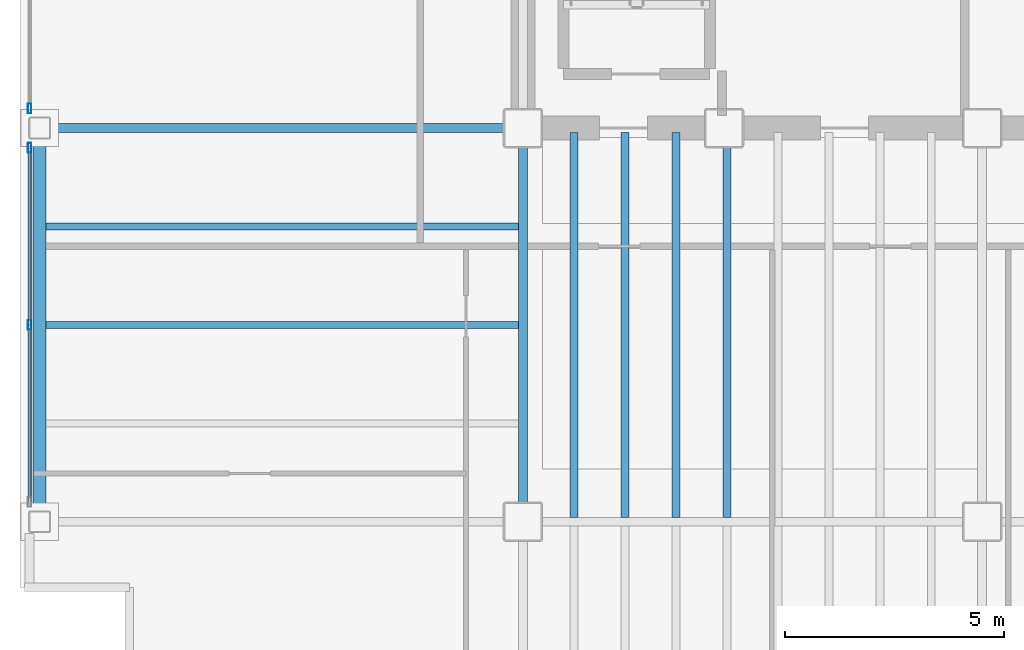
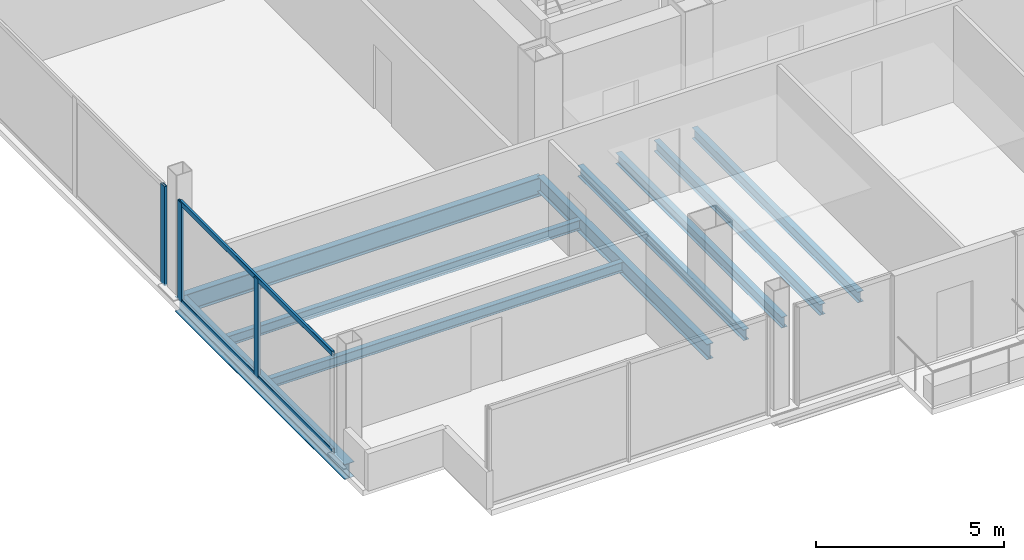
# One storey, part 3 of 18: 9 beams, 5 members, 2 elements without a shape of their own.
"""IFC4 building model written with IfcOpenShell, lengths in metres."""

from ifc_helpers import new_model, si_unit, direction, frame, origin, origin_2d, place, context, subcontext, project, spatial, hollow_rectangle, i_section, extrude, material, material_profile, profile_set, type_object, element, aggregate, save


model = new_model("IFC4")

# Units and contexts
model_context = context("Model", 3, precision=1e-05, world=origin(), true_north=direction((0.0, 1.0)))
body_context = subcontext(model_context, "Body", "Model", "MODEL_VIEW")
ifc_project = project(units=[si_unit("LENGTHUNIT", "METRE"), si_unit("AREAUNIT", "SQUARE_METRE"), si_unit("VOLUMEUNIT", "CUBIC_METRE"), si_unit("PLANEANGLEUNIT", "RADIAN"), si_unit("MASSUNIT", "GRAM", prefix="KILO")], contexts=[model_context])

# Site, building, storey
site_placement = place(None, origin())
site = spatial("IfcSite", under=ifc_project, at=site_placement, CompositionType="ELEMENT")
building_placement = place(site_placement, origin())
building = spatial("IfcBuilding", under=site, at=building_placement, Name="Noeulbin Bourse Tower", CompositionType="ELEMENT")
storey_placement = place(building_placement, frame((0.0, 0.0, 161.699951171875)))
storey = spatial("IfcBuildingStorey", under=building, at=storey_placement, Name="L40", CompositionType="ELEMENT", Elevation=161.699951171875)

# Beams
ifc_material_1 = material(Name="Steel S355", Category="steel")
ifc_material_profile_1 = material_profile(ifc_material_1, i_section(OverallWidth=0.199951171875, OverallDepth=0.5, WebThickness=0.010009765625, FlangeThickness=0.01611328125, FilletRadius=0.02001953125, at=origin_2d()), Name="H-500x200x10x16", Category="LoadBearing")
ifc_profile_set_1 = profile_set([ifc_material_profile_1], Name="Steel S355")
beam_type_1 = type_object("IfcBeamType", Name="BM-GRD-500", PredefinedType="USERDEFINED", material=ifc_profile_set_1)
beam_1_placement = place(storey_placement, frame((13.5, 20.0, -0.429931640625), z_axis=(0.0, 1.0, 0.0), x_axis=(-1.0, 0.0, 0.0)))
element("IfcBeam", 1, at=beam_1_placement, inside=storey, type_object=beam_type_1, Name="Tower Primary Girder NS L40-1.2", ObjectType="GIRDER", PredefinedType="USERDEFINED", context=body_context, shape_type="SweptSolid", body=[
    extrude(i_section(OverallWidth=0.199951171875, OverallDepth=0.5, WebThickness=0.010009765625, FlangeThickness=0.01611328125, FilletRadius=0.02001953125, at=origin_2d()), origin(), (0.0, 0.0, 1.0), 9.0),
])
ifc_material_profile_2 = material_profile(ifc_material_1, i_section(OverallWidth=0.199951171875, OverallDepth=0.60009765625, WebThickness=0.010986328125, FlangeThickness=0.01708984375, FilletRadius=0.02197265625, at=origin_2d()), Name="H-600x200x11x17", Category="LoadBearing")
ifc_profile_set_2 = profile_set([ifc_material_profile_2], Name="Steel S355")
beam_type_2 = type_object("IfcBeamType", Name="BM-GRD-600", PredefinedType="USERDEFINED", material=ifc_profile_set_2)
beam_2_placement = place(storey_placement, frame((2.449951171875, 29.0, -0.47998046875), z_axis=(1.0, 0.0, 0.0), x_axis=(0.0, 1.0, 0.0)))
element("IfcBeam", 2, at=beam_2_placement, inside=storey, type_object=beam_type_2, Name="Tower Primary Girder EW L40-2.1", ObjectType="GIRDER", PredefinedType="USERDEFINED", context=body_context, shape_type="SweptSolid", body=[
    extrude(i_section(OverallWidth=0.199951171875, OverallDepth=0.60009765625, WebThickness=0.010986328125, FlangeThickness=0.01708984375, FilletRadius=0.02197265625, at=origin_2d()), origin(), (0.0, 0.0, 1.0), 11.050048828125),
])
ifc_material_profile_3 = material_profile(ifc_material_1, i_section(OverallWidth=0.159912109375, OverallDepth=0.320068359375, WebThickness=0.006591796875, FlangeThickness=0.010009765625, FilletRadius=0.012939453125, at=origin_2d()), Name="H-320x160x6.5x10", Category="LoadBearing")
ifc_profile_set_3 = profile_set([ifc_material_profile_3], Name="Steel S355")
beam_type_3 = type_object("IfcBeamType", Name="BM-JST-320", PredefinedType="JOIST", material=ifc_profile_set_3)
for number, where, z_axis, x_axis, name in (
    (3, (2.60009765625, 24.5, -0.33984375), (1.0, 0.0, 0.0), (0.0, 1.0, 0.0), "Wing Composite Joist L40-W71"),
    (4, (2.60009765625, 26.75, -0.33984375), (1.0, 0.0, 0.0), (0.0, 1.0, 0.0), "Wing Composite Joist L40-W72"),
):
    element("IfcBeam", number, at=place(storey_placement, frame(where, z_axis=z_axis, x_axis=x_axis)), inside=storey, type_object=beam_type_3, Name=name, PredefinedType="JOIST", context=body_context, shape_type="SweptSolid", body=[
        extrude(i_section(OverallWidth=0.159912109375, OverallDepth=0.320068359375, WebThickness=0.006591796875, FlangeThickness=0.010009765625, FilletRadius=0.012939453125, at=origin_2d()), origin(), (0.0, 0.0, 1.0), 10.7998046875),
    ])
ifc_material_profile_4 = material_profile(ifc_material_1, i_section(OverallWidth=0.175048828125, OverallDepth=0.35009765625, WebThickness=0.007080078125, FlangeThickness=0.010986328125, FilletRadius=0.013916015625, at=origin_2d()), Name="H-350x175x7x11", Category="LoadBearing")
ifc_profile_set_4 = profile_set([ifc_material_profile_4], Name="Steel S355")
beam_type_4 = type_object("IfcBeamType", Name="BM-JST-350", PredefinedType="JOIST", material=ifc_profile_set_4)
for number, where, z_axis, x_axis, name in (
    (5, (14.666748046875, 20.10009765625, -0.35498046875), (0.0, 1.0, 0.0), (-1.0, 0.0, 0.0), "Tower Composite Joist L40-02"),
    (6, (15.833251953125, 20.10009765625, -0.35498046875), (0.0, 1.0, 0.0), (-1.0, 0.0, 0.0), "Tower Composite Joist L40-05"),
    (7, (17.0, 20.10009765625, -0.35498046875), (0.0, 1.0, 0.0), (-1.0, 0.0, 0.0), "Tower Composite Joist L40-08"),
    (8, (18.166748046875, 20.10009765625, -0.35498046875), (0.0, 1.0, 0.0), (-1.0, 0.0, 0.0), "Tower Composite Joist L40-11"),
):
    element("IfcBeam", number, at=place(storey_placement, frame(where, z_axis=z_axis, x_axis=x_axis)), inside=storey, type_object=beam_type_4, Name=name, PredefinedType="JOIST", context=body_context, shape_type="SweptSolid", body=[
        extrude(i_section(OverallWidth=0.175048828125, OverallDepth=0.35009765625, WebThickness=0.007080078125, FlangeThickness=0.010986328125, FilletRadius=0.013916015625, at=origin_2d()), origin(), (0.0, 0.0, 1.0), 8.7998046875),
    ])
ifc_material_profile_5 = material_profile(ifc_material_1, i_section(OverallWidth=0.300048828125, OverallDepth=0.488037109375, WebThickness=0.010986328125, FlangeThickness=0.01806640625, FilletRadius=0.02197265625, at=origin_2d()), Name="H-488x300x11x18", Category="LoadBearing")
ifc_profile_set_5 = profile_set([ifc_material_profile_5], Name="Steel S355")
beam_type_5 = type_object("IfcBeamType", Name="BM-SPN-488", PredefinedType="SPANDREL", material=ifc_profile_set_5)
beam_3_placement = place(storey_placement, frame((2.449951171875, 20.0, -0.424072265625), z_axis=(0.0, 1.0, 0.0), x_axis=(-1.0, 0.0, 0.0)))
element("IfcBeam", 9, at=beam_3_placement, inside=storey, type_object=beam_type_5, Name="West Spandrel L40-1", PredefinedType="SPANDREL", context=body_context, shape_type="SweptSolid", body=[
    extrude(i_section(OverallWidth=0.300048828125, OverallDepth=0.488037109375, WebThickness=0.010986328125, FlangeThickness=0.01806640625, FilletRadius=0.02197265625, at=origin_2d()), origin(), (0.0, 0.0, 1.0), 9.0),
])

# Curtain wall, members
ifc_material_2 = material(Name="Dark Tinted Triple Glazing", Category="glass")
curtain_wall_type = type_object("IfcCurtainWallType", Name="CW-SYS-3", PredefinedType="NOTDEFINED", material=ifc_material_2)
curtain_wall_1_placement = place(storey_placement, origin())
curtain_wall_1 = element("IfcCurtainWall", 10, at=curtain_wall_1_placement, inside=storey, type_object=curtain_wall_type, Name="Unitised Curtain Wall CW-L40-W-S1", PredefinedType="NOTDEFINED")
ifc_material_3 = material(Name="Anodised Aluminium 6063-T6", Category="aluminium")
ifc_material_profile_6 = material_profile(ifc_material_3, hollow_rectangle(XDim=0.074951171875, YDim=0.219970703125, WallThickness=0.0048828125, InnerFilletRadius=0.00244140625, OuterFilletRadius=0.0048828125, at=origin_2d()), Name="ALU-MULL-75x220x5", Category="LoadBearing")
ifc_profile_set_6 = profile_set([ifc_material_profile_6], Name="Anodised Aluminium 6063-T6")
member_type_1 = type_object("IfcMemberType", Name="CW-SYS-3-MUL", PredefinedType="MULLION", material=ifc_profile_set_6)
member_1_placement = place(storey_placement, frame((2.219970703125, 24.5, -0.02001953125), z_axis=(0.0, 0.0, 1.0), x_axis=(1.0, 0.0, 0.0)))
member_1 = element("IfcMember", 11, at=member_1_placement, type_object=member_type_1, Name="Curtain Wall Mullion CW-L40-W-S1-M01", PredefinedType="MULLION", context=body_context, shape_type="SweptSolid", body=[
    extrude(hollow_rectangle(XDim=0.074951171875, YDim=0.219970703125, WallThickness=0.0048828125, InnerFilletRadius=0.00244140625, OuterFilletRadius=0.0048828125, at=origin_2d()), origin(), (0.0, 0.0, 1.0), 3.219970703125),
])
member_2_placement = place(storey_placement, frame((2.219970703125, 28.550048828125, -0.02001953125), z_axis=(0.0, 0.0, 1.0), x_axis=(1.0, 0.0, 0.0)))
member_2 = element("IfcMember", 12, at=member_2_placement, type_object=member_type_1, Name="Curtain Wall Mullion CW-L40-W-S1-M02", PredefinedType="MULLION", context=body_context, shape_type="SweptSolid", body=[
    extrude(hollow_rectangle(XDim=0.074951171875, YDim=0.219970703125, WallThickness=0.0048828125, InnerFilletRadius=0.00244140625, OuterFilletRadius=0.0048828125, at=origin_2d()), origin(), (0.0, 0.0, 1.0), 3.219970703125),
])

# Curtain wall, member
curtain_wall_2_placement = place(storey_placement, origin())
curtain_wall_2 = element("IfcCurtainWall", 13, at=curtain_wall_2_placement, inside=storey, type_object=curtain_wall_type, Name="Unitised Curtain Wall CW-L40-W-S2", PredefinedType="NOTDEFINED")
member_3_placement = place(storey_placement, frame((2.219970703125, 29.449951171875, -0.02001953125), z_axis=(0.0, 0.0, 1.0), x_axis=(1.0, 0.0, 0.0)))
member_3 = element("IfcMember", 14, at=member_3_placement, type_object=member_type_1, Name="Curtain Wall Mullion CW-L40-W-S2-M00", PredefinedType="MULLION", context=body_context, shape_type="SweptSolid", body=[
    extrude(hollow_rectangle(XDim=0.074951171875, YDim=0.219970703125, WallThickness=0.0048828125, InnerFilletRadius=0.00244140625, OuterFilletRadius=0.0048828125, at=origin_2d()), origin(), (0.0, 0.0, 1.0), 3.219970703125),
])
aggregate(curtain_wall_2, [member_3])

# Member
ifc_material_profile_7 = material_profile(ifc_material_3, hollow_rectangle(XDim=0.074951171875, YDim=0.159912109375, WallThickness=0.0048828125, InnerFilletRadius=0.00244140625, OuterFilletRadius=0.0048828125, at=origin_2d()), Name="ALU-TRAN-75x160x5", Category="LoadBearing")
ifc_profile_set_7 = profile_set([ifc_material_profile_7], Name="Anodised Aluminium 6063-T6")
member_type_2 = type_object("IfcMemberType", Name="CW-SYS-3-TRN", PredefinedType="USERDEFINED", material=ifc_profile_set_7)
member_4_placement = place(storey_placement, frame((2.219970703125, 20.4599609375, 0.010009765625), z_axis=(0.0, 1.0, 0.0), x_axis=(-1.0, 0.0, 0.0)))
member_4 = element("IfcMember", 15, at=member_4_placement, type_object=member_type_2, Name="Curtain Wall Transom CW-L40-W-S1-T00", ObjectType="TRANSOM", PredefinedType="USERDEFINED", context=body_context, shape_type="SweptSolid", body=[
    extrude(hollow_rectangle(XDim=0.074951171875, YDim=0.159912109375, WallThickness=0.0048828125, InnerFilletRadius=0.00244140625, OuterFilletRadius=0.0048828125, at=origin_2d()), origin(), (0.0, 0.0, 1.0), 8.080078125),
])

member_5_placement = place(storey_placement, frame((2.219970703125, 20.4599609375, 3.170166015625), z_axis=(0.0, 1.0, 0.0), x_axis=(-1.0, 0.0, 0.0)))
member_5 = element("IfcMember", 16, at=member_5_placement, type_object=member_type_2, Name="Curtain Wall Transom CW-L40-W-S1-T01", ObjectType="TRANSOM", PredefinedType="USERDEFINED", context=body_context, shape_type="SweptSolid", body=[
    extrude(hollow_rectangle(XDim=0.074951171875, YDim=0.159912109375, WallThickness=0.0048828125, InnerFilletRadius=0.00244140625, OuterFilletRadius=0.0048828125, at=origin_2d()), origin(), (0.0, 0.0, 1.0), 8.080078125),
])

aggregate(curtain_wall_1, [member_1, member_2, member_4, member_5])

save(model, "model.ifc")
